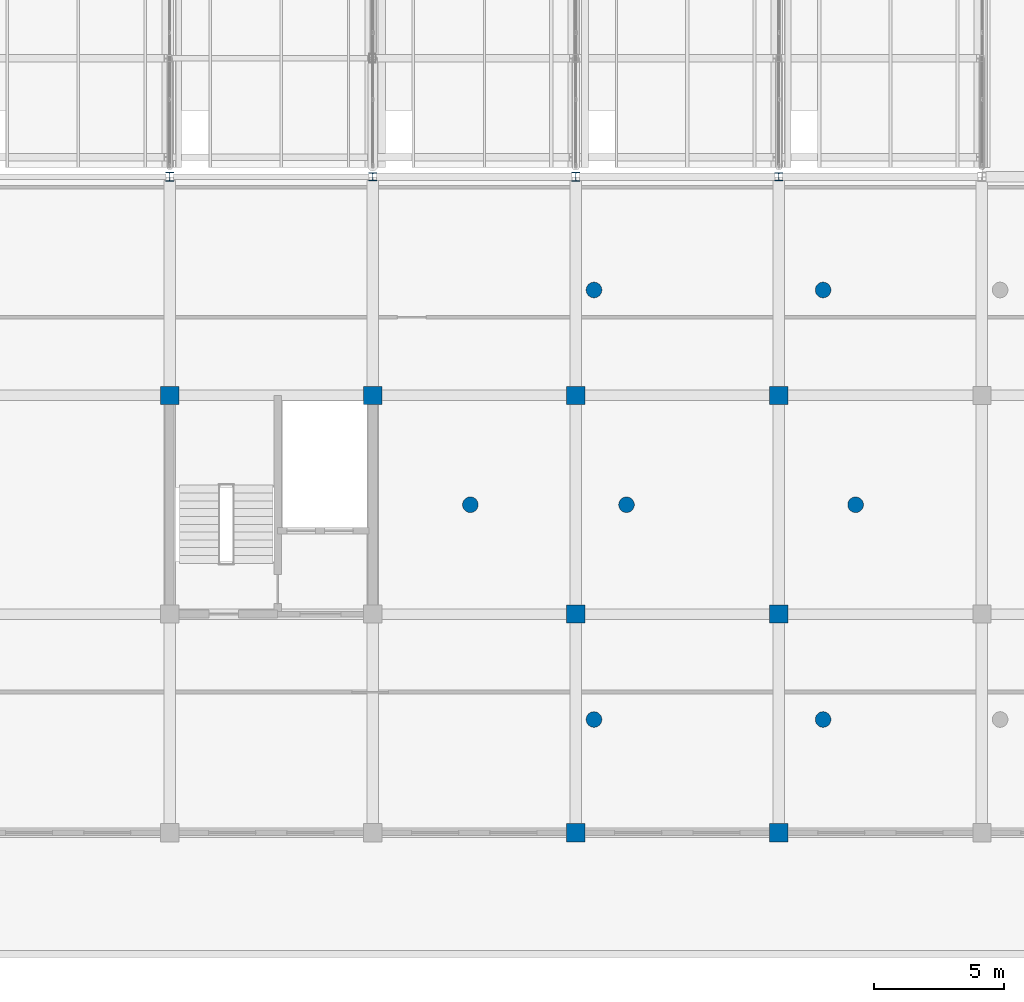
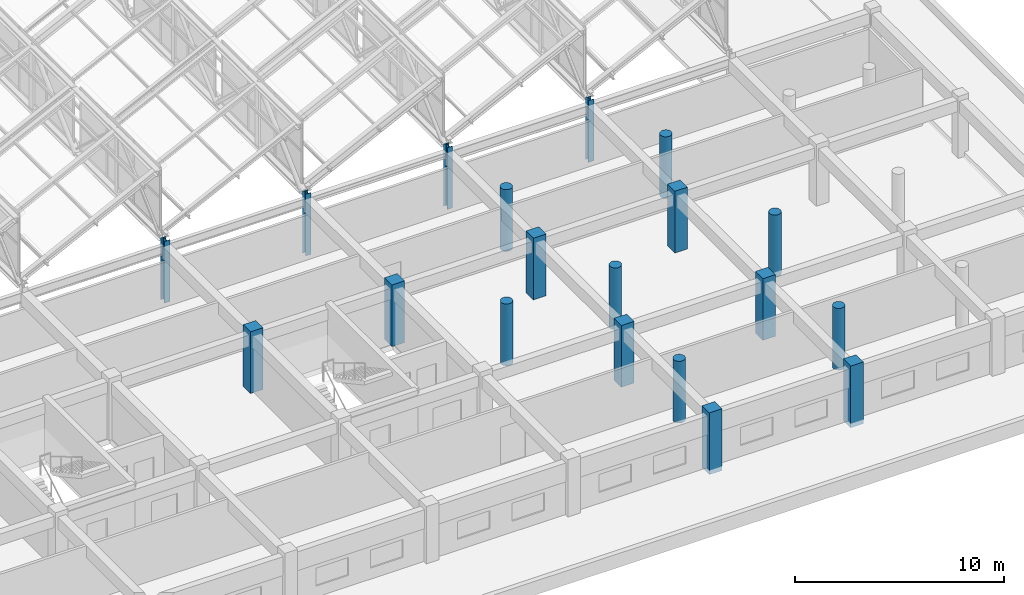
# One storey, part 3 of 101: 19 columns.
"""IFC4 building model written with IfcOpenShell, lengths in metres."""

from ifc_helpers import new_model, si_unit, direction, frame, origin, origin_2d, place, context, subcontext, project, spatial, rectangle, circle, i_section, extrude, material, material_profile, profile_set, type_object, element, save


model = new_model("IFC4")

# Units and contexts
model_context = context("Model", 3, precision=1e-05, world=origin(), true_north=direction((0.0, 1.0)))
body_context = subcontext(model_context, "Body", "Model", "MODEL_VIEW")
ifc_project = project(units=[si_unit("LENGTHUNIT", "METRE"), si_unit("AREAUNIT", "SQUARE_METRE"), si_unit("VOLUMEUNIT", "CUBIC_METRE"), si_unit("PLANEANGLEUNIT", "RADIAN"), si_unit("MASSUNIT", "GRAM", prefix="KILO")], contexts=[model_context])

# Site, building, storey
site_placement = place(None, origin())
site = spatial("IfcSite", under=ifc_project, at=site_placement, CompositionType="ELEMENT")
building_placement = place(site_placement, origin())
building = spatial("IfcBuilding", under=site, at=building_placement, Name="Zizhar Promenade General Hospital", CompositionType="ELEMENT")
storey_placement = place(building_placement, frame((0.0, 0.0, 14.39990234375)))
storey = spatial("IfcBuildingStorey", under=building, at=storey_placement, Name="L03", CompositionType="ELEMENT", Elevation=14.39990234375)

# Columns
ifc_material_1 = material(Name="Concrete C40/50", Category="concrete")
ifc_material_profile_1 = material_profile(ifc_material_1, circle(Radius=0.300048828125, at=origin_2d()))
ifc_profile_set_1 = profile_set([ifc_material_profile_1], Name="Concrete C40/50")
column_type_1 = type_object("IfcColumnType", Name="COL-CIRC-600", PredefinedType="PILASTER", material=ifc_profile_set_1)
for number, where, z_axis, x_axis, name in (
    (1, (119.949951171875, 12.60009765625, 0.0), (0.0, 0.0, 1.0), (1.0, 0.0, 0.0), "Ward Terrace Interior Support Column L07-E2 (L03)"),
    (2, (118.699951171875, 4.35009765625, 0.0), (0.0, 0.0, 1.0), (1.0, 0.0, 0.0), "Ward Terrace Interior Support Column L08-E0 (L03)"),
    (3, (118.699951171875, 20.85009765625, 0.0), (0.0, 0.0, 1.0), (1.0, 0.0, 0.0), "Ward Terrace Interior Support Column L08-E1 (L03)"),
    (4, (111.14990234375, 12.60009765625, 0.0), (0.0, 0.0, 1.0), (1.0, 0.0, 0.0), "Ward Terrace Interior Support Column L08-E2 (L03)"),
    (5, (109.89990234375, 4.35009765625, 0.0), (0.0, 0.0, 1.0), (1.0, 0.0, 0.0), "Ward Terrace Interior Support Column L09-E0 (L03)"),
    (6, (109.89990234375, 20.85009765625, 0.0), (0.0, 0.0, 1.0), (1.0, 0.0, 0.0), "Ward Terrace Interior Support Column L09-E1 (L03)"),
    (7, (105.14990234375, 12.60009765625, 0.0), (0.0, 0.0, 1.0), (1.0, 0.0, 0.0), "Ward Terrace Interior Support Column L09-E2 (L03)"),
):
    element("IfcColumn", number, at=place(storey_placement, frame(where, z_axis=z_axis, x_axis=x_axis)), inside=storey, type_object=column_type_1, Name=name, PredefinedType="PILASTER", context=body_context, shape_type="SweptSolid", body=[
        extrude(circle(Radius=0.300048828125, at=origin_2d()), origin(), (0.0, 0.0, 1.0), 3.60009765625),
    ])
ifc_material_2 = material(Name="Concrete C40/50", Category="concrete")
ifc_material_profile_2 = material_profile(ifc_material_2, rectangle(XDim=0.699951171875, YDim=0.699951171875, at=origin_2d()))
ifc_profile_set_2 = profile_set([ifc_material_profile_2], Name="Concrete C40/50")
column_type_2 = type_object("IfcColumnType", Name="COL-RC-700", PredefinedType="COLUMN", material=ifc_profile_set_2)
for number, where, z_axis, x_axis, name in (
    (8, (93.60009765625, 16.800048828125, 0.0), (0.0, 0.0, 1.0), (1.0, 0.0, 0.0), "Column 13-C (L03)"),
    (9, (101.39990234375, 16.800048828125, 0.0), (0.0, 0.0, 1.0), (1.0, 0.0, 0.0), "Column 14-C (L03)"),
    (10, (109.199951171875, 0.0, 0.0), (0.0, 0.0, 1.0), (1.0, 0.0, 0.0), "Column 15-A (L03)"),
    (11, (109.199951171875, 8.39990234375, 0.0), (0.0, 0.0, 1.0), (1.0, 0.0, 0.0), "Column 15-B (L03)"),
    (12, (109.199951171875, 16.800048828125, 0.0), (0.0, 0.0, 1.0), (1.0, 0.0, 0.0), "Column 15-C (L03)"),
    (13, (117.0, 0.0, 0.0), (0.0, 0.0, 1.0), (1.0, 0.0, 0.0), "Column 16-A (L03)"),
    (14, (117.0, 8.39990234375, 0.0), (0.0, 0.0, 1.0), (1.0, 0.0, 0.0), "Column 16-B (L03)"),
    (15, (117.0, 16.800048828125, 0.0), (0.0, 0.0, 1.0), (1.0, 0.0, 0.0), "Column 16-C (L03)"),
):
    element("IfcColumn", number, at=place(storey_placement, frame(where, z_axis=z_axis, x_axis=x_axis)), inside=storey, type_object=column_type_2, Name=name, PredefinedType="COLUMN", context=body_context, shape_type="SweptSolid", body=[
        extrude(rectangle(XDim=0.699951171875, YDim=0.699951171875, at=origin_2d()), origin(), (0.0, 0.0, 1.0), 3.60009765625),
    ])
ifc_material_3 = material(Name="Steel S355", Category="steel")
ifc_material_profile_3 = material_profile(ifc_material_3, i_section(OverallWidth=0.300048828125, OverallDepth=0.300048828125, WebThickness=0.010986328125, FlangeThickness=0.01904296875, FilletRadius=0.027099609375, at=origin_2d()))
ifc_profile_set_3 = profile_set([ifc_material_profile_3], Name="Steel S355")
column_type_3 = type_object("IfcColumnType", Name="COL-STL-HEB300", PredefinedType="COLUMN", material=ifc_profile_set_3)
for number, where, z_axis, x_axis, name in (
    (16, (101.39990234375, 25.199951171875, 0.0), (0.0, 0.0, 1.0), (1.0, 0.0, 0.0), "Column 14-D (L03)"),
    (17, (117.0, 25.199951171875, 0.0), (0.0, 0.0, 1.0), (1.0, 0.0, 0.0), "Column 16-D (L03)"),
):
    element("IfcColumn", number, at=place(storey_placement, frame(where, z_axis=z_axis, x_axis=x_axis)), inside=storey, type_object=column_type_3, Name=name, PredefinedType="COLUMN", context=body_context, shape_type="SweptSolid", body=[
        extrude(i_section(OverallWidth=0.300048828125, OverallDepth=0.300048828125, WebThickness=0.010986328125, FlangeThickness=0.01904296875, FilletRadius=0.027099609375, at=origin_2d()), origin(), (0.0, 0.0, 1.0), 3.60009765625),
    ])
ifc_material_4 = material(Name="Steel S355", Category="steel")
ifc_material_profile_4 = material_profile(ifc_material_4, i_section(OverallWidth=0.300048828125, OverallDepth=0.360107421875, WebThickness=0.012451171875, FlangeThickness=0.0224609375, FilletRadius=0.027099609375, at=origin_2d()))
ifc_profile_set_4 = profile_set([ifc_material_profile_4], Name="Steel S355")
column_type_4 = type_object("IfcColumnType", Name="COL-STL-HEB360", PredefinedType="COLUMN", material=ifc_profile_set_4)
for number, where, z_axis, x_axis, name in (
    (18, (93.60009765625, 25.199951171875, 0.0), (0.0, 0.0, 1.0), (1.0, 0.0, 0.0), "Column 13-D (L03)"),
    (19, (109.199951171875, 25.199951171875, 0.0), (0.0, 0.0, 1.0), (1.0, 0.0, 0.0), "Column 15-D (L03)"),
):
    element("IfcColumn", number, at=place(storey_placement, frame(where, z_axis=z_axis, x_axis=x_axis)), inside=storey, type_object=column_type_4, Name=name, PredefinedType="COLUMN", context=body_context, shape_type="SweptSolid", body=[
        extrude(i_section(OverallWidth=0.300048828125, OverallDepth=0.360107421875, WebThickness=0.012451171875, FlangeThickness=0.0224609375, FilletRadius=0.027099609375, at=origin_2d()), origin(), (0.0, 0.0, 1.0), 3.60009765625),
    ])

save(model, "model.ifc")
